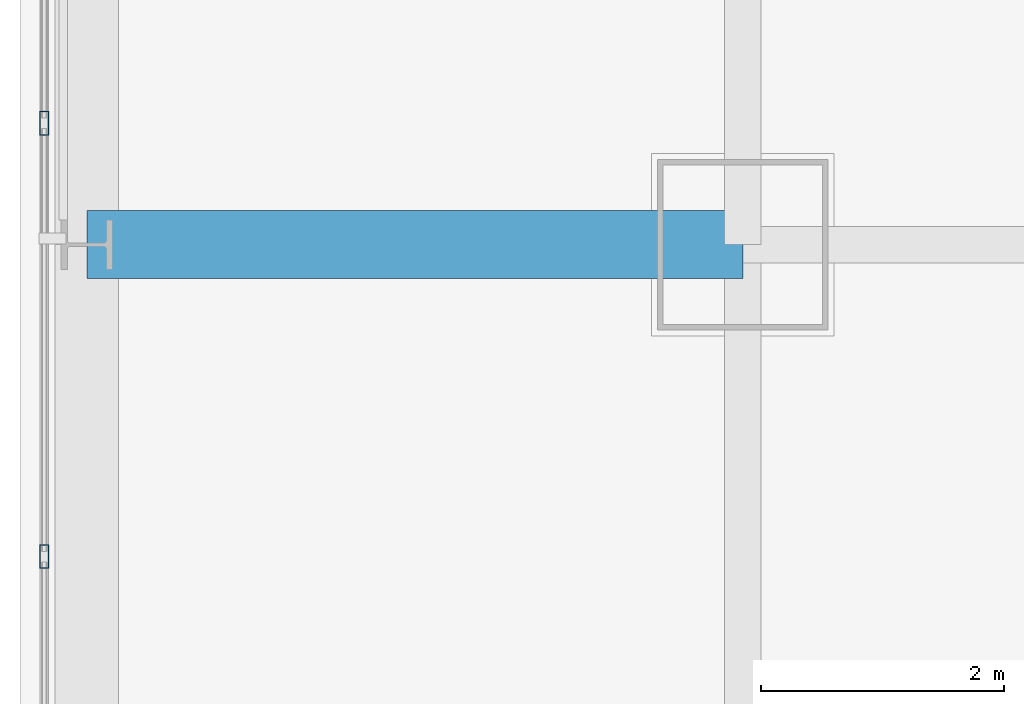
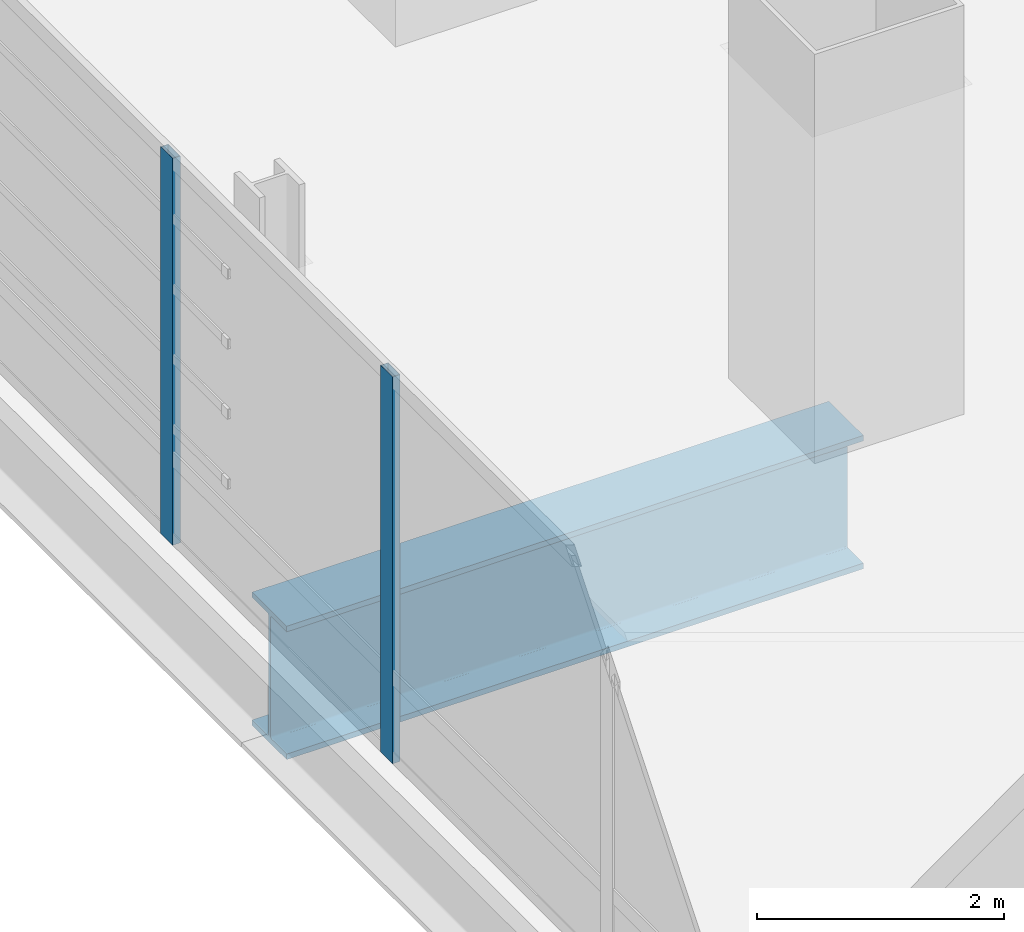
# One storey, part 9 of 37: 2 members, 1 beam, 1 element without a shape of its own.
"""IFC4 building model written with IfcOpenShell, lengths in metres."""

import ifcopenshell
import ifcopenshell.guid

model = None  # the IFC model being written
_history = None  # IfcOwnerHistory: only IFC2X3 demands one
_inside = {}  # id of a spatial element -> (the spatial element, [elements in it])
_under = {}  # id of a project, library or spatial element -> (it, [spatial elements below it])
_declared = {}  # id of a project -> (the project, [libraries it declares])
_typed = {}  # id of a type object -> (the type object, [elements of that type])
_made_of = {}  # id of a material, layer set ... -> (it, [elements and type objects made of it])


def new_model(schema):
    """Start an empty IFC model of exactly this schema.

    Asked for "IFC4X3", IfcOpenShell would pick the latest addendum, in which some entities
    have other attributes; the version numbers below select the first issue.
    IFC2X3 requires an IfcOwnerHistory on every rooted entity: one is made here for all.
    """
    global model, _history
    if schema == "IFC4X3":
        model = ifcopenshell.file(schema_version=(4, 3, 0, 0))
    else:
        model = ifcopenshell.file(schema=schema)
    _inside.clear()
    _under.clear()
    _declared.clear()
    _typed.clear()
    _made_of.clear()
    _history = None
    if model.schema == "IFC2X3":
        org = make("IfcOrganization", Name="unknown")
        user = make(
            "IfcPersonAndOrganization",
            ThePerson=make("IfcPerson", FamilyName="unknown"),
            TheOrganization=org,
        )
        app = make(
            "IfcApplication",
            ApplicationDeveloper=org,
            Version="unknown",
            ApplicationFullName="unknown",
            ApplicationIdentifier="unknown",
        )
        _history = make(
            "IfcOwnerHistory",
            OwningUser=user,
            OwningApplication=app,
            ChangeAction="ADDED",
            CreationDate=0,
        )
    return model


def make(cls, **values):
    """One entity of the class cls with the attributes given. An attribute that is None is left unset."""
    return model.create_entity(
        cls, **{name: value for name, value in values.items() if value is not None}
    )


def rooted(cls, **values):
    """An entity with a GlobalId (a new one), such as an element, a storey or a relation."""
    return make(cls, GlobalId=ifcopenshell.guid.new(), OwnerHistory=_history, **values)


def si_unit(unit_type, name, prefix=None):
    """IfcSIUnit, for example si_unit("LENGTHUNIT", "METRE", prefix="MILLI")."""
    return make("IfcSIUnit", UnitType=unit_type, Prefix=prefix, Name=name)


def assignment(units):
    """IfcUnitAssignment: the units of a project."""
    return None if units is None else make("IfcUnitAssignment", Units=units)


def point(xyz):
    """IfcCartesianPoint."""
    return None if xyz is None else make("IfcCartesianPoint", Coordinates=xyz)


def direction(xyz):
    """IfcDirection."""
    return None if xyz is None else make("IfcDirection", DirectionRatios=xyz)


def frame(location, z_axis=None, x_axis=None):
    """IfcAxis2Placement3D, a coordinate frame: its origin and axes. An axis left out is left unset."""
    return make(
        "IfcAxis2Placement3D",
        Location=point(location),
        Axis=direction(z_axis),
        RefDirection=direction(x_axis),
    )


def frame_2d(location, x_axis=None):
    """IfcAxis2Placement2D, a coordinate frame in the plane: its origin and x axis."""
    return make(
        "IfcAxis2Placement2D", Location=point(location), RefDirection=direction(x_axis)
    )


def origin():
    """The frame at (0, 0, 0) with its axes left unset."""
    return frame((0.0, 0.0, 0.0))


def origin_2d():
    """The frame at (0, 0) in the plane with its x axis left unset."""
    return frame_2d((0.0, 0.0))


def place(relative_to, where):
    """IfcLocalPlacement: puts the frame where relative to a parent placement (None: the world)."""
    return make(
        "IfcLocalPlacement", PlacementRelTo=relative_to, RelativePlacement=where
    )


def context(
    kind, dimensions, precision=None, world=None, true_north=None, identifier=None
):
    """IfcGeometricRepresentationContext, for example the 3D "Model" context."""
    return make(
        "IfcGeometricRepresentationContext",
        ContextIdentifier=identifier,
        ContextType=kind,
        CoordinateSpaceDimension=dimensions,
        Precision=precision,
        WorldCoordinateSystem=world,
        TrueNorth=true_north,
    )


def subcontext(parent, identifier, kind, view, scale=None):
    """IfcGeometricRepresentationSubContext, for example "Body" below "Model"."""
    return make(
        "IfcGeometricRepresentationSubContext",
        ContextIdentifier=identifier,
        ContextType=kind,
        ParentContext=parent,
        TargetScale=scale,
        TargetView=view,
    )


def project(units=None, contexts=None):
    """IfcProject with its units and contexts."""
    return rooted(
        "IfcProject",
        Name="project",
        RepresentationContexts=contexts,
        UnitsInContext=assignment(units),
    )


def spatial(cls, under=None, at=None, **own):
    """A site, building, storey or space (cls), placed at a placement, below another one or the project."""
    s = rooted(cls, ObjectPlacement=at, **own)
    if under is not None:
        _under.setdefault(under.id(), (under, []))[1].append(s)
    return s


def profile(cls, at=None, kind="AREA", **sizes):
    """A parametric profile (cls). Its sizes go by their IFC names, for example OverallWidth=200.0."""
    return make(cls, ProfileType=kind, Position=at, **sizes)


def hollow_rectangle(**sizes):
    """IfcRectangleHollowProfileDef."""
    return profile("IfcRectangleHollowProfileDef", **sizes)


def i_section(**sizes):
    """IfcIShapeProfileDef."""
    return profile("IfcIShapeProfileDef", **sizes)


def extrude(swept, where, along, depth):
    """IfcExtrudedAreaSolid: the profile swept, set in the frame where, extruded along a direction by depth."""
    return make(
        "IfcExtrudedAreaSolid",
        SweptArea=swept,
        Position=where,
        ExtrudedDirection=direction(along),
        Depth=depth,
    )


def shape(context_of_items, identifier, shape_type, items):
    """IfcShapeRepresentation: the items that make up one representation, for example the "Body"."""
    return make(
        "IfcShapeRepresentation",
        ContextOfItems=context_of_items,
        RepresentationIdentifier=identifier,
        RepresentationType=shape_type,
        Items=items,
    )


def material(Name=None, Category=None):
    """IfcMaterial."""
    return make("IfcMaterial", Name=Name, Category=Category)


def material_profile(
    of_material, cross_section, Name=None, Category=None, Priority=None
):
    """IfcMaterialProfile: a cross section and its material."""
    return make(
        "IfcMaterialProfile",
        Name=Name,
        Material=of_material,
        Profile=cross_section,
        Priority=Priority,
        Category=Category,
    )


def profile_set(profiles, Name=None, composite=None):
    """IfcMaterialProfileSet."""
    return make(
        "IfcMaterialProfileSet",
        Name=Name,
        MaterialProfiles=profiles,
        CompositeProfile=composite,
    )


def made_of(thing, what):
    """Note that an element or type object is made of a material, layer set ...; save() writes the relation."""
    if what is not None:
        _made_of.setdefault(what.id(), (what, []))[1].append(thing)
    return thing


def type_object(cls, material=None, **own):
    """A type object (cls), such as IfcWallType, which elements share."""
    return made_of(rooted(cls, **own), material)


def element(
    cls,
    number,
    at=None,
    inside=None,
    cuts=None,
    type_object=None,
    material=None,
    context=None,
    identifier="Body",
    shape_type=None,
    held_by="IfcProductDefinitionShape",
    body=None,
    shapes=None,
    **own,
):
    """One element of the class cls, such as IfcWall. Its Tag is "e" and its number.

    at: its placement. inside: the storey or other place that contains it. cuts: it is an
    opening in that element (IfcRelVoidsElement). A single representation is given by context,
    identifier, shape_type and body (its items); several are given by shapes. held_by: the class
    of the entity that holds the representations. save() writes the other relations.
    """
    e = rooted(cls, Tag="e%d" % number, ObjectPlacement=at, **own)
    if body is not None:
        shapes = [shape(context, identifier, shape_type, body)]
    if shapes is not None:
        e.Representation = make(held_by, Representations=shapes)
    if inside is not None:
        _inside.setdefault(inside.id(), (inside, []))[1].append(e)
    if cuts is not None:
        rooted(
            "IfcRelVoidsElement", RelatingBuildingElement=cuts, RelatedOpeningElement=e
        )
    if type_object is not None:
        _typed.setdefault(type_object.id(), (type_object, []))[1].append(e)
    return made_of(e, material)


def aggregate(whole, parts):
    """IfcRelAggregates: a whole, such as a stair, and the parts it consists of."""
    return rooted("IfcRelAggregates", RelatingObject=whole, RelatedObjects=parts)


def save(model, path):
    """Write the relations noted so far, then the file.

    IfcRelAggregates (storeys below a building ...), IfcRelContainedInSpatialStructure (elements
    in a storey), IfcRelDefinesByType, IfcRelAssociatesMaterial and IfcRelDeclares: one each for
    every whole, place, type object, material and project.
    """
    for whole, parts in _under.values():
        aggregate(whole, parts)
    for where, things in _inside.values():
        rooted(
            "IfcRelContainedInSpatialStructure",
            RelatedElements=things,
            RelatingStructure=where,
        )
    for kind, things in _typed.values():
        rooted("IfcRelDefinesByType", RelatedObjects=things, RelatingType=kind)
    for what, things in _made_of.values():
        rooted("IfcRelAssociatesMaterial", RelatedObjects=things, RelatingMaterial=what)
    for by, libraries in _declared.values():
        rooted("IfcRelDeclares", RelatingContext=by, RelatedDefinitions=libraries)
    model.write(path)


model = new_model("IFC4")

# Units and contexts
model_context = context("Model", 3, precision=1e-05, world=origin(), true_north=direction((0.0, 1.0)))
body_context = subcontext(model_context, "Body", "Model", "MODEL_VIEW")
ifc_project = project(units=[si_unit("LENGTHUNIT", "METRE"), si_unit("AREAUNIT", "SQUARE_METRE"), si_unit("VOLUMEUNIT", "CUBIC_METRE"), si_unit("PLANEANGLEUNIT", "RADIAN"), si_unit("MASSUNIT", "GRAM", prefix="KILO")], contexts=[model_context])

# Site, building, storey
site_placement = place(None, origin())
site = spatial("IfcSite", under=ifc_project, at=site_placement, CompositionType="ELEMENT")
building_placement = place(site_placement, origin())
building = spatial("IfcBuilding", under=site, at=building_placement, Name="Punatoya Terracotta Tower", CompositionType="ELEMENT")
storey_placement = place(building_placement, frame((0.0, 0.0, 192.449951171875)))
storey = spatial("IfcBuildingStorey", under=building, at=storey_placement, Name="L45", CompositionType="ELEMENT", Elevation=192.449951171875)

# Beam
ifc_material_1 = material(Name="Steel S460", Category="steel")
ifc_material_profile_1 = material_profile(ifc_material_1, i_section(OverallWidth=0.56005859375, OverallDepth=1.320068359375, WebThickness=0.035888671875, FlangeThickness=0.054931640625, FilletRadius=0.01806640625, at=origin_2d()))
ifc_profile_set_1 = profile_set([ifc_material_profile_1], Name="Steel S460")
beam_type = type_object("IfcBeamType", Name="BM-TG-BLK", PredefinedType="BEAM", material=ifc_profile_set_1)
beam_placement = place(storey_placement, frame((-24.5, -3.39990234375, -0.8798828125), z_axis=(1.0, 0.0, 0.0), x_axis=(0.0, 1.0, 0.0)))
element("IfcBeam", 1, at=beam_placement, inside=storey, type_object=beam_type, Name="BM-L45-CANT-W2", PredefinedType="BEAM", context=body_context, shape_type="SweptSolid", body=[
    extrude(i_section(OverallWidth=0.56005859375, OverallDepth=1.320068359375, WebThickness=0.035888671875, FlangeThickness=0.054931640625, FilletRadius=0.01806640625, at=origin_2d()), origin(), (0.0, 0.0, 1.0), 5.39990234375),
])

# Curtain wall, members
ifc_material_2 = material(Name="Aluminium 6063-T6 + Double Low-E Glass", Category="aluminium")
curtain_wall_type = type_object("IfcCurtainWallType", Name="CW-M2", PredefinedType="NOTDEFINED", material=ifc_material_2)
curtain_wall_placement = place(storey_placement, origin())
curtain_wall = element("IfcCurtainWall", 2, at=curtain_wall_placement, inside=storey, type_object=curtain_wall_type, Name="L45 Curtain Wall CW-L45-W13-1", PredefinedType="NOTDEFINED")
ifc_material_3 = material(Name="Aluminium 6063-T6", Category="aluminium")
ifc_material_profile_2 = material_profile(ifc_material_3, hollow_rectangle(XDim=0.072021484375, YDim=0.195068359375, WallThickness=0.00439453125, at=origin_2d()))
ifc_profile_set_2 = profile_set([ifc_material_profile_2], Name="Aluminium 6063-T6")
member_type = type_object("IfcMemberType", Name="CW-MUL-M2", PredefinedType="MULLION", material=ifc_profile_set_2)
member_1_placement = place(storey_placement, frame((-24.85009765625, -2.39990234375, 0.0), z_axis=(0.0, 0.0, 1.0), x_axis=(1.0, 0.0, 0.0)))
member_1 = element("IfcMember", 3, at=member_1_placement, type_object=member_type, Name="CW-L45-W13-1 Mullion 05", PredefinedType="MULLION", context=body_context, shape_type="SweptSolid", body=[
    extrude(hollow_rectangle(XDim=0.072021484375, YDim=0.195068359375, WallThickness=0.00439453125, at=origin_2d()), origin(), (0.0, 0.0, 1.0), 3.830078125),
])
member_2_placement = place(storey_placement, frame((-24.85009765625, -5.96728515625, 0.0), z_axis=(0.0, 0.0, 1.0), x_axis=(1.0, 0.0, 0.0)))
member_2 = element("IfcMember", 4, at=member_2_placement, type_object=member_type, Name="CW-L45-W13-1 Mullion 06", PredefinedType="MULLION", context=body_context, shape_type="SweptSolid", body=[
    extrude(hollow_rectangle(XDim=0.072021484375, YDim=0.195068359375, WallThickness=0.00439453125, at=origin_2d()), origin(), (0.0, 0.0, 1.0), 3.830078125),
])
aggregate(curtain_wall, [member_1, member_2])

save(model, "model.ifc")
